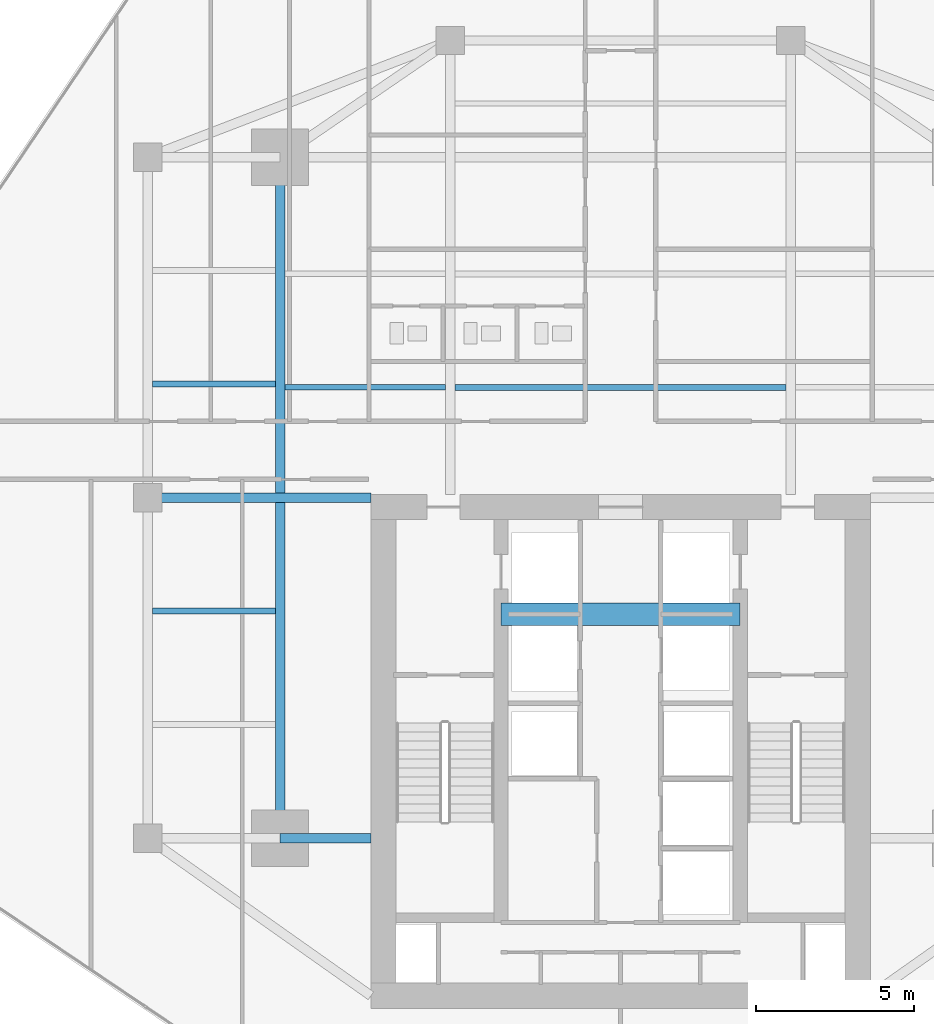
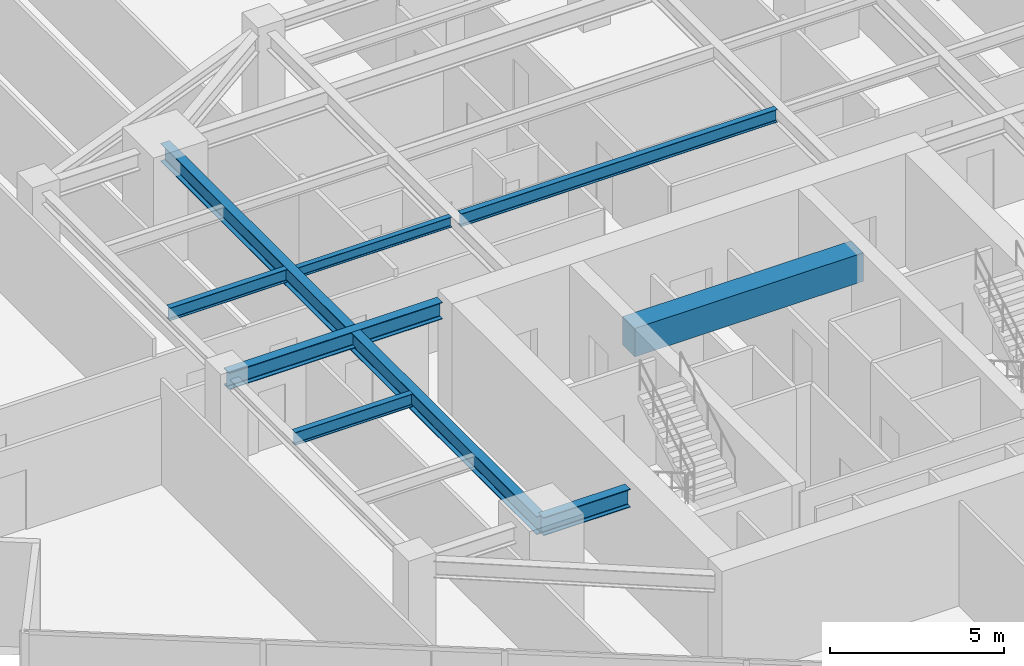
# One storey, part 8 of 27: 8 beams.
"""IFC4 building model written with IfcOpenShell, lengths in metres."""

from ifc_helpers import new_model, si_unit, direction, frame, origin, origin_2d, place, context, subcontext, project, spatial, rectangle, i_section, extrude, source, transform, mapped, material, material_profile, profile_set, type_object, type_shapes, element, save


model = new_model("IFC4")

# Units and contexts
model_context = context("Model", 3, precision=1e-05, world=origin(), true_north=direction((0.0, 1.0)))
body_context = subcontext(model_context, "Body", "Model", "MODEL_VIEW")
ifc_project = project(units=[si_unit("LENGTHUNIT", "METRE"), si_unit("AREAUNIT", "SQUARE_METRE"), si_unit("VOLUMEUNIT", "CUBIC_METRE"), si_unit("PLANEANGLEUNIT", "RADIAN"), si_unit("MASSUNIT", "GRAM", prefix="KILO")], contexts=[model_context])

# Site, building, storey
site_placement = place(None, origin())
site = spatial("IfcSite", under=ifc_project, at=site_placement, CompositionType="ELEMENT")
building_placement = place(site_placement, origin())
building = spatial("IfcBuilding", under=site, at=building_placement, Name="Krantzveldt Concourse Tower", CompositionType="ELEMENT")
storey_placement = place(building_placement, frame((0.0, 0.0, 189.64990234375)))
storey = spatial("IfcBuildingStorey", under=building, at=storey_placement, Name="L46", CompositionType="ELEMENT", Elevation=189.64990234375)

# Beams
ifc_material_1 = material(Name="Steel S355JR", Category="steel")
ifc_material_profile_1 = material_profile(ifc_material_1, i_section(OverallWidth=0.300048828125, OverallDepth=0.639892578125, WebThickness=0.013427734375, FlangeThickness=0.02587890625, FilletRadius=0.027099609375, at=origin_2d()), Name="Steel S355JR", Category="steel")
ifc_profile_set_1 = profile_set([ifc_material_profile_1], Name="Steel S355JR - HEA 650")
beam_type_1 = type_object("IfcBeamType", Name="BM-B-HEA650", PredefinedType="BEAM", material=ifc_profile_set_1)
shared_shape_1 = source(origin(), body_context, "Body", "SweptSolid", [
    extrude(i_section(OverallWidth=0.300048828125, OverallDepth=0.639892578125, WebThickness=0.013427734375, FlangeThickness=0.02587890625, FilletRadius=0.027099609375, at=origin_2d()), origin(), (0.0, 0.0, 1.0), 21.60009765625),
])
beam_1_placement = place(storey_placement, frame((25.199951171875, 15.89990234375, 3.35009765625), z_axis=(0.0, 1.0, 0.0), x_axis=(-1.0, 0.0, 0.0)))
element("IfcBeam", 1, at=beam_1_placement, inside=storey, type_object=beam_type_1, Name="L46 Tower Girder BG-MW", PredefinedType="BEAM", context=body_context, shape_type="MappedRepresentation", body=[
    mapped(shared_shape_1, transform((0.0, 0.0, 0.0), x_axis=(1.0, 0.0, 0.0), y_axis=(0.0, 1.0, 0.0), z_axis=(0.0, 0.0, 1.0), scale=1.0)),
])
ifc_material_profile_2 = material_profile(ifc_material_1, i_section(OverallWidth=0.300048828125, OverallDepth=0.590087890625, WebThickness=0.012939453125, FlangeThickness=0.02490234375, FilletRadius=0.027099609375, at=origin_2d()), Name="Steel S355JR", Category="steel")
ifc_profile_set_2 = profile_set([ifc_material_profile_2], Name="Steel S355JR - HEA 600")
beam_type_2 = type_object("IfcBeamType", Name="BM-B-HEA600", PredefinedType="BEAM", material=ifc_profile_set_2)
shared_shape_2 = source(origin(), body_context, "Body", "SweptSolid", [
    extrude(i_section(OverallWidth=0.300048828125, OverallDepth=0.590087890625, WebThickness=0.012939453125, FlangeThickness=0.02490234375, FilletRadius=0.027099609375, at=origin_2d()), origin(), (0.0, 0.0, 1.0), 7.080078125),
])
type_shapes(beam_type_2, [shared_shape_2])
beam_2_placement = place(storey_placement, frame((21.0, 26.699951171875, 3.375), z_axis=(1.0, 0.0, 0.0), x_axis=(0.0, 1.0, 0.0)))
element("IfcBeam", 2, at=beam_2_placement, inside=storey, type_object=beam_type_2, Name="L46 Tower Girder BG-CW2", PredefinedType="BEAM", context=body_context, shape_type="MappedRepresentation", body=[
    mapped(shared_shape_2, transform((0.0, 0.0, 0.0), x_axis=(1.0, 0.0, 0.0), y_axis=(0.0, 1.0, 0.0), z_axis=(0.0, 0.0, 1.0), scale=1.0)),
])
ifc_material_profile_3 = material_profile(ifc_material_1, i_section(OverallWidth=0.18994140625, OverallDepth=0.449951171875, WebThickness=0.009521484375, FlangeThickness=0.0146484375, FilletRadius=0.02099609375, at=origin_2d()), Name="Steel S355JR", Category="steel")
ifc_profile_set_3 = profile_set([ifc_material_profile_3], Name="Steel S355JR - IPE 450")
beam_type_3 = type_object("IfcBeamType", Name="BM-J-IPE450", PredefinedType="JOIST", material=ifc_profile_set_3)
shared_shape_3 = source(origin(), body_context, "Body", "SweptSolid", [
    extrude(i_section(OverallWidth=0.18994140625, OverallDepth=0.449951171875, WebThickness=0.009521484375, FlangeThickness=0.0146484375, FilletRadius=0.02099609375, at=origin_2d()), origin(), (0.0, 0.0, 1.0), 10.5),
])
beam_3_placement = place(storey_placement, frame((30.75, 30.199951171875, 3.445068359375), z_axis=(1.0, 0.0, 0.0), x_axis=(0.0, 1.0, 0.0)))
element("IfcBeam", 3, at=beam_3_placement, inside=storey, type_object=beam_type_3, Name="L46 Secondary Floor Joist JN-C1", PredefinedType="JOIST", context=body_context, shape_type="MappedRepresentation", body=[
    mapped(shared_shape_3, transform((0.0, 0.0, 0.0), x_axis=(1.0, 0.0, 0.0), y_axis=(0.0, 1.0, 0.0), z_axis=(0.0, 0.0, 1.0), scale=1.0)),
])
ifc_material_2 = material(Name="Concrete C50/60", Category="concrete")
ifc_material_profile_4 = material_profile(ifc_material_2, rectangle(XDim=0.699951171875, YDim=1.0, at=origin_2d()), Name="Concrete C50/60", Category="concrete")
ifc_profile_set_4 = profile_set([ifc_material_profile_4], Name="Concrete C50/60 - RC-CB 700x1000")
beam_type_4 = type_object("IfcBeamType", Name="BM-CB-1000", PredefinedType="LINTEL", material=ifc_profile_set_4)
shared_shape_4 = source(origin(), body_context, "Body", "SweptSolid", [
    extrude(rectangle(XDim=0.699951171875, YDim=1.0, at=origin_2d()), origin(), (0.0, 0.0, 1.0), 7.580078125),
])
type_shapes(beam_type_4, [shared_shape_4])
beam_4_placement = place(storey_placement, frame((32.2099609375, 23.0, 3.170166015625), z_axis=(1.0, 0.0, 0.0), x_axis=(0.0, 1.0, 0.0)))
element("IfcBeam", 4, at=beam_4_placement, inside=storey, type_object=beam_type_4, Name="CB-L46-01", PredefinedType="LINTEL", context=body_context, shape_type="MappedRepresentation", body=[
    mapped(shared_shape_4, transform((0.0, 0.0, 0.0), x_axis=(1.0, 0.0, 0.0), y_axis=(0.0, 1.0, 0.0), z_axis=(0.0, 0.0, 1.0), scale=1.0)),
])
shared_shape_5 = source(origin(), body_context, "Body", "SweptSolid", [
    extrude(i_section(OverallWidth=0.300048828125, OverallDepth=0.639892578125, WebThickness=0.013427734375, FlangeThickness=0.02587890625, FilletRadius=0.027099609375, at=origin_2d()), origin(), (0.0, 0.0, 1.0), 2.880126953125),
])
type_shapes(beam_type_1, [shared_shape_1, shared_shape_5])
beam_5_placement = place(storey_placement, frame((25.199951171875, 15.89990234375, 3.35009765625), z_axis=(1.0, 0.0, 0.0), x_axis=(0.0, 1.0, 0.0)))
element("IfcBeam", 5, at=beam_5_placement, inside=storey, type_object=beam_type_1, Name="L46 Tower Girder BG-CW1", PredefinedType="BEAM", context=body_context, shape_type="MappedRepresentation", body=[
    mapped(shared_shape_5, transform((0.0, 0.0, 0.0), x_axis=(1.0, 0.0, 0.0), y_axis=(0.0, 1.0, 0.0), z_axis=(0.0, 0.0, 1.0), scale=1.0)),
])
ifc_material_profile_5 = material_profile(ifc_material_1, i_section(OverallWidth=0.169921875, OverallDepth=0.360107421875, WebThickness=0.008056640625, FlangeThickness=0.0126953125, FilletRadius=0.01806640625, at=origin_2d()), Name="Steel S355JR", Category="steel")
ifc_profile_set_5 = profile_set([ifc_material_profile_5], Name="Steel S355JR - IPE 360")
beam_type_5 = type_object("IfcBeamType", Name="BM-J-IPE360", PredefinedType="JOIST", material=ifc_profile_set_5)
shared_shape_6 = source(origin(), body_context, "Body", "SweptSolid", [
    extrude(i_section(OverallWidth=0.169921875, OverallDepth=0.360107421875, WebThickness=0.008056640625, FlangeThickness=0.0126953125, FilletRadius=0.01806640625, at=origin_2d()), origin(), (0.0, 0.0, 1.0), 5.099853515625),
])
type_shapes(beam_type_5, [shared_shape_6])
beam_6_placement = place(storey_placement, frame((25.35009765625, 30.199951171875, 3.489990234375), z_axis=(1.0, 0.0, 0.0), x_axis=(0.0, 1.0, 0.0)))
element("IfcBeam", 6, at=beam_6_placement, inside=storey, type_object=beam_type_5, Name="L46 Secondary Floor Joist JN-W1", PredefinedType="JOIST", context=body_context, shape_type="MappedRepresentation", body=[
    mapped(shared_shape_6, transform((0.0, 0.0, 0.0), x_axis=(1.0, 0.0, 0.0), y_axis=(0.0, 1.0, 0.0), z_axis=(0.0, 0.0, 1.0), scale=1.0)),
])
shared_shape_7 = source(origin(), body_context, "Body", "SweptSolid", [
    extrude(i_section(OverallWidth=0.18994140625, OverallDepth=0.449951171875, WebThickness=0.009521484375, FlangeThickness=0.0146484375, FilletRadius=0.02099609375, at=origin_2d()), origin(), (0.0, 0.0, 1.0), 3.900146484375),
])
type_shapes(beam_type_3, [shared_shape_3, shared_shape_7])
for number, where, z_axis, x_axis, name in (
    (7, (21.14990234375, 23.10009765625, 3.445068359375), (1.0, 0.0, 0.0), (0.0, 1.0, 0.0), "L46 Secondary Floor Joist JW-2"),
    (8, (21.14990234375, 30.300048828125, 3.445068359375), (1.0, 0.0, 0.0), (0.0, 1.0, 0.0), "L46 Secondary Floor Joist JW-3"),
):
    element("IfcBeam", number, at=place(storey_placement, frame(where, z_axis=z_axis, x_axis=x_axis)), inside=storey, type_object=beam_type_3, Name=name, PredefinedType="JOIST", context=body_context, shape_type="MappedRepresentation", body=[
        mapped(shared_shape_7, transform((0.0, 0.0, 0.0), x_axis=(1.0, 0.0, 0.0), y_axis=(0.0, 1.0, 0.0), z_axis=(0.0, 0.0, 1.0), scale=1.0)),
    ])

save(model, "model.ifc")
